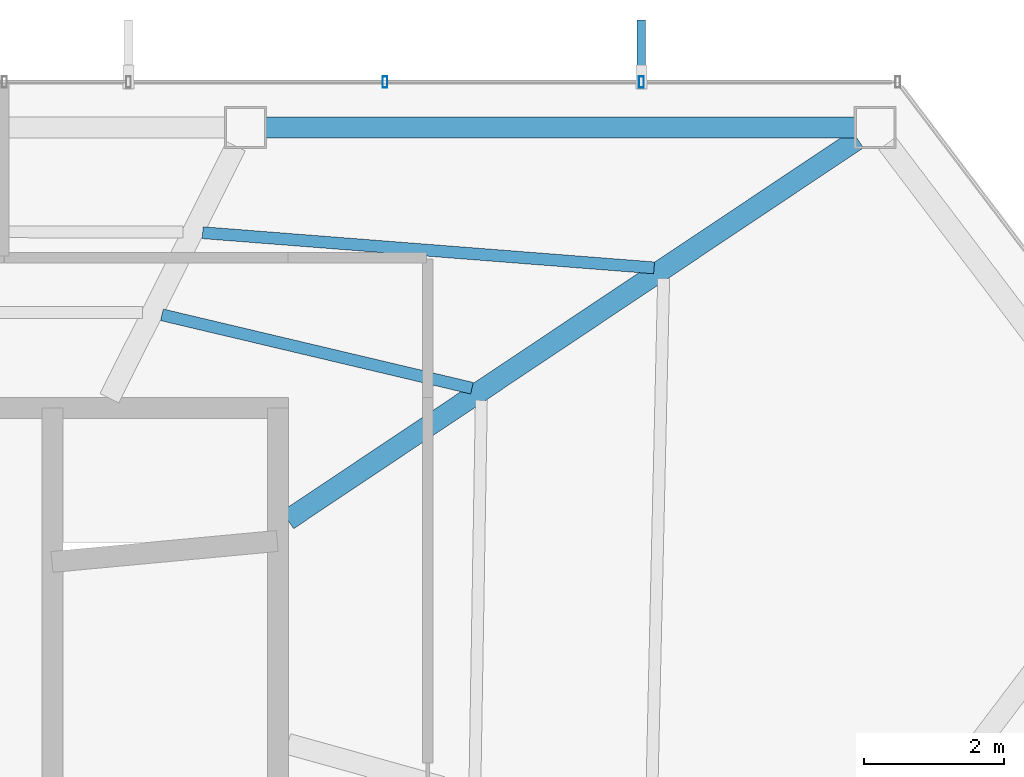
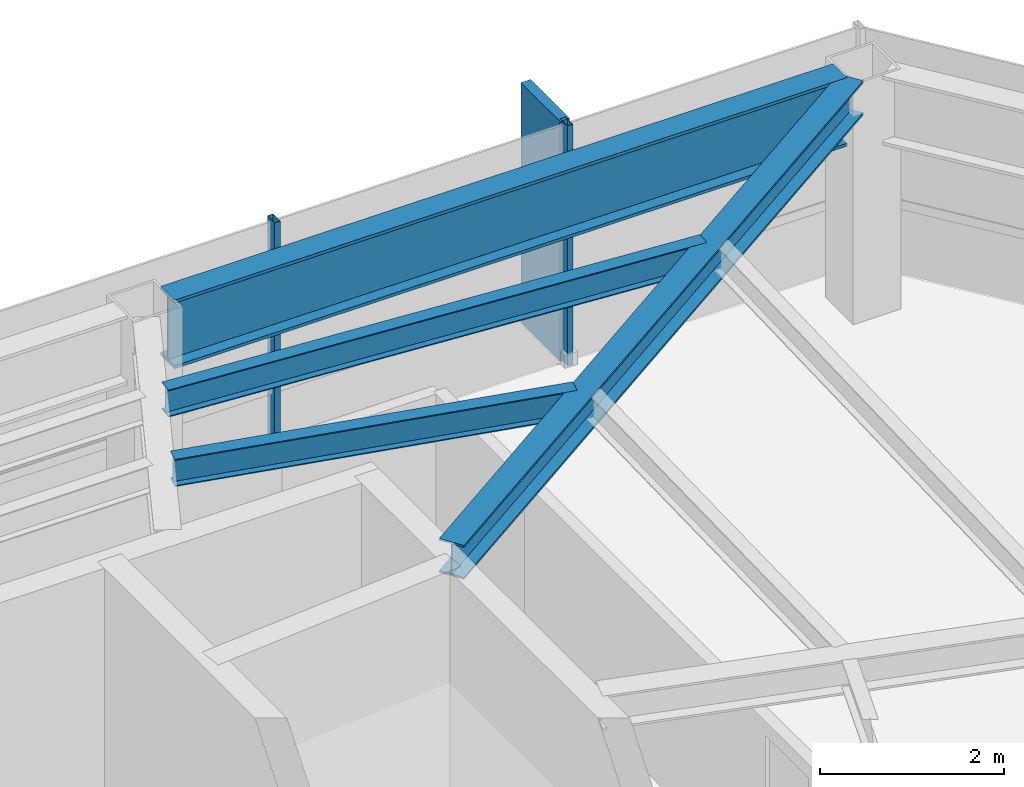
# One storey, part 19 of 25: 4 beams, 3 members, 1 element without a shape of its own.
"""IFC4 building model written with IfcOpenShell, lengths in metres."""

from ifc_helpers import new_model, si_unit, direction, frame, origin, origin_2d, place, context, subcontext, project, spatial, rectangle, hollow_rectangle, i_section, extrude, material, layer, layer_set, material_profile, profile_set, type_object, element, aggregate, save


model = new_model("IFC4")

# Units and contexts
model_context = context("Model", 3, precision=1e-05, world=origin(), true_north=direction((0.0, 1.0)))
body_context = subcontext(model_context, "Body", "Model", "MODEL_VIEW")
ifc_project = project(units=[si_unit("LENGTHUNIT", "METRE"), si_unit("AREAUNIT", "SQUARE_METRE"), si_unit("VOLUMEUNIT", "CUBIC_METRE"), si_unit("PLANEANGLEUNIT", "RADIAN"), si_unit("MASSUNIT", "GRAM", prefix="KILO")], contexts=[model_context])

# Site, building, storey
site_placement = place(None, origin())
site = spatial("IfcSite", under=ifc_project, at=site_placement, CompositionType="ELEMENT")
building_placement = place(site_placement, origin())
building = spatial("IfcBuilding", under=site, at=building_placement, Name="Zarrinselat Tower", CompositionType="ELEMENT")
storey_placement = place(building_placement, frame((0.0, 0.0, 242.760009765625)))
storey = spatial("IfcBuildingStorey", under=building, at=storey_placement, Name="L61", CompositionType="ELEMENT", Elevation=242.760009765625)

# Beams
ifc_material_1 = material(Name="Steel S355J2", Category="steel")
ifc_material_profile_1 = material_profile(ifc_material_1, i_section(OverallWidth=0.300048828125, OverallDepth=0.449951171875, WebThickness=0.013916015625, FlangeThickness=0.02587890625, at=origin_2d()), Name="HEB 450")
ifc_profile_set_1 = profile_set([ifc_material_profile_1], Name="Steel S355J2")
beam_type_1 = type_object("IfcBeamType", Name="BM-HEB450", PredefinedType="BEAM", material=ifc_profile_set_1)
beam_1_placement = place(storey_placement, frame((48.35009765625, 41.800048828125, 2.955078125), z_axis=(0.831397894197, 0.555677551756, 0.0), x_axis=(-0.555677551756, 0.831397894197, 0.0)))
element("IfcBeam", 1, at=beam_1_placement, inside=storey, type_object=beam_type_1, Name="L61 Radial Primary Girder RG01", PredefinedType="BEAM", context=body_context, shape_type="SweptSolid", body=[
    extrude(i_section(OverallWidth=0.300048828125, OverallDepth=0.449951171875, WebThickness=0.013916015625, FlangeThickness=0.02587890625, at=origin_2d()), origin(), (0.0, 0.0, 1.0), 9.7958984375),
])
ifc_material_2 = material(Name="Steel S460M", Category="steel")
ifc_material_profile_2 = material_profile(ifc_material_2, i_section(OverallWidth=0.302001953125, OverallDepth=0.909912109375, WebThickness=0.02099609375, FlangeThickness=0.0400390625, at=origin_2d()), Name="HEM 900")
ifc_profile_set_2 = profile_set([ifc_material_profile_2], Name="Steel S460M")
beam_type_2 = type_object("IfcBeamType", Name="BM-HEM900", PredefinedType="BEAM", material=ifc_profile_set_2)
beam_2_placement = place(storey_placement, frame((48.033203125, 47.4111328125, 2.72509765625), z_axis=(1.0, 0.0, 0.0), x_axis=(0.0, 1.0, 0.0)))
element("IfcBeam", 2, at=beam_2_placement, inside=storey, type_object=beam_type_2, Name="L61 Perimeter Spandrel Girder SP01", PredefinedType="BEAM", context=body_context, shape_type="SweptSolid", body=[
    extrude(i_section(OverallWidth=0.302001953125, OverallDepth=0.909912109375, WebThickness=0.02099609375, FlangeThickness=0.0400390625, at=origin_2d()), origin(), (0.0, 0.0, 1.0), 8.42431640625),
])
ifc_material_3 = material(Name="Steel S355J2", Category="steel")
ifc_material_profile_3 = material_profile(ifc_material_3, i_section(OverallWidth=0.169921875, OverallDepth=0.360107421875, WebThickness=0.008056640625, FlangeThickness=0.0126953125, at=origin_2d()), Name="IPE 360")
ifc_profile_set_3 = profile_set([ifc_material_profile_3], Name="Steel S355J2")
beam_type_3 = type_object("IfcBeamType", Name="BM-IPE360", PredefinedType="JOIST", material=ifc_profile_set_3)
beam_3_placement = place(storey_placement, frame((47.1337890625, 45.906005859375, 3.0), z_axis=(0.996978551516, -0.077677331425, 0.0), x_axis=(0.077677331425, 0.996978551516, 0.0)))
element("IfcBeam", 3, at=beam_3_placement, inside=storey, type_object=beam_type_3, Name="L61 Composite Floor Joist 6-1", PredefinedType="JOIST", context=body_context, shape_type="SweptSolid", body=[
    extrude(i_section(OverallWidth=0.169921875, OverallDepth=0.360107421875, WebThickness=0.008056640625, FlangeThickness=0.0126953125, at=origin_2d()), origin(), (0.0, 0.0, 1.0), 6.471435546875),
])
beam_4_placement = place(storey_placement, frame((46.551513671875, 44.732177734375, 3.0), z_axis=(0.973103379517, -0.23036886242, 0.0), x_axis=(0.23036886242, 0.973103379517, 0.0)))
element("IfcBeam", 4, at=beam_4_placement, inside=storey, type_object=beam_type_3, Name="L61 Composite Floor Joist 6-2", PredefinedType="JOIST", context=body_context, shape_type="SweptSolid", body=[
    extrude(i_section(OverallWidth=0.169921875, OverallDepth=0.360107421875, WebThickness=0.008056640625, FlangeThickness=0.0126953125, at=origin_2d()), origin(), (0.0, 0.0, 1.0), 4.553955078125),
])

# Curtain wall, members
ifc_material_4 = material(Name="Extruded Aluminium Alloy EN AW-6063 T6", Category="aluminium")
ifc_layer = layer(ifc_material_4, 0.169921875)
ifc_layer_set = layer_set([ifc_layer], Name="Extruded Aluminium Alloy EN AW-6063 T6")
curtain_wall_type = type_object("IfcCurtainWallType", Name="CWS-RES", PredefinedType="NOTDEFINED", material=ifc_layer_set)
curtain_wall_placement = place(storey_placement, origin())
curtain_wall = element("IfcCurtainWall", 5, at=curtain_wall_placement, inside=storey, type_object=curtain_wall_type, Name="L61 Unitised Curtain Wall CW-L61-E01", PredefinedType="NOTDEFINED")
ifc_material_5 = material(Name="Extruded Aluminium Alloy EN AW-6063 T6", Category="aluminium")
ifc_material_profile_4 = material_profile(ifc_material_5, hollow_rectangle(XDim=0.070068359375, YDim=0.159912109375, WallThickness=0.00390625, at=origin_2d()), Name="RHS 160x70x4")
ifc_profile_set_4 = profile_set([ifc_material_profile_4], Name="Extruded Aluminium Alloy EN AW-6063 T6")
member_type_1 = type_object("IfcMemberType", Name="MEM-CW-MUL2", PredefinedType="MULLION", material=ifc_profile_set_4)
member_1_placement = place(storey_placement, frame((53.40380859375, 48.06103515625, 0.0), z_axis=(0.0, 0.0, 1.0), x_axis=(-1.0, 0.0, 0.0)))
member_1 = element("IfcMember", 6, at=member_1_placement, type_object=member_type_1, Name="CW-L61-E01 Mullion 1", PredefinedType="MULLION", context=body_context, shape_type="SweptSolid", body=[
    extrude(hollow_rectangle(XDim=0.070068359375, YDim=0.159912109375, WallThickness=0.00390625, at=origin_2d()), origin(), (0.0, 0.0, 1.0), 3.179931640625),
])
member_2_placement = place(storey_placement, frame((49.739013671875, 48.06103515625, 0.0), z_axis=(0.0, 0.0, 1.0), x_axis=(-1.0, 0.0, 0.0)))
member_2 = element("IfcMember", 7, at=member_2_placement, type_object=member_type_1, Name="CW-L61-E01 Mullion 2", PredefinedType="MULLION", context=body_context, shape_type="SweptSolid", body=[
    extrude(hollow_rectangle(XDim=0.070068359375, YDim=0.159912109375, WallThickness=0.00390625, at=origin_2d()), origin(), (0.0, 0.0, 1.0), 3.179931640625),
])
ifc_material_6 = material(Name="Honed Cream Travertine Stone", Category="masonry")
ifc_material_profile_5 = material_profile(ifc_material_6, rectangle(XDim=0.1201171875, YDim=0.85009765625, at=origin_2d()), Name="FIN 850x120")
ifc_profile_set_5 = profile_set([ifc_material_profile_5], Name="Honed Cream Travertine Stone")
member_type_2 = type_object("IfcMemberType", Name="MEM-STONE-FIN", PredefinedType="USERDEFINED", material=ifc_profile_set_5)
member_3_placement = place(storey_placement, frame((53.40380859375, 48.52099609375, 0.0), z_axis=(0.0, 0.0, 1.0), x_axis=(1.0, 0.0, 0.0)))
member_3 = element("IfcMember", 8, at=member_3_placement, type_object=member_type_2, Name="L61 Stone Shading Fin CW-L61-E01-01", ObjectType="FIN", PredefinedType="USERDEFINED", context=body_context, shape_type="SweptSolid", body=[
    extrude(rectangle(XDim=0.1201171875, YDim=0.85009765625, at=origin_2d()), origin(), (0.0, 0.0, 1.0), 3.179931640625),
])
aggregate(curtain_wall, [member_1, member_3, member_2])

save(model, "model.ifc")
